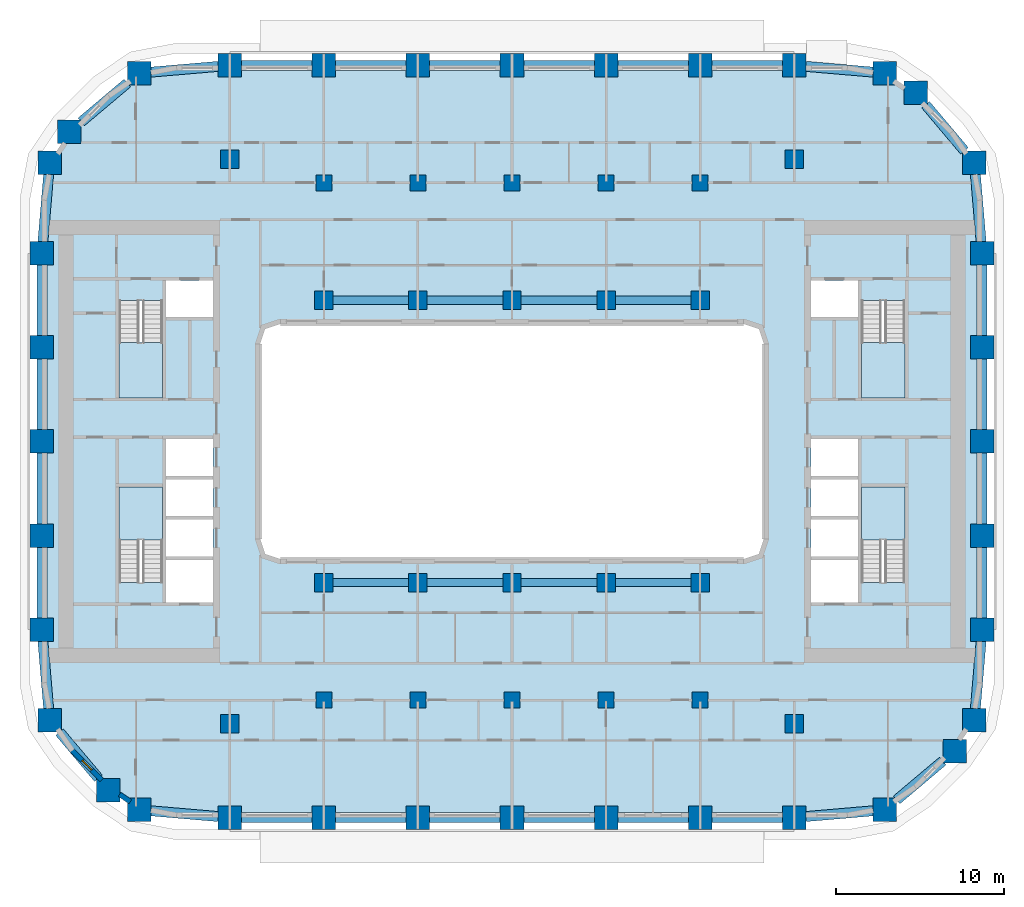
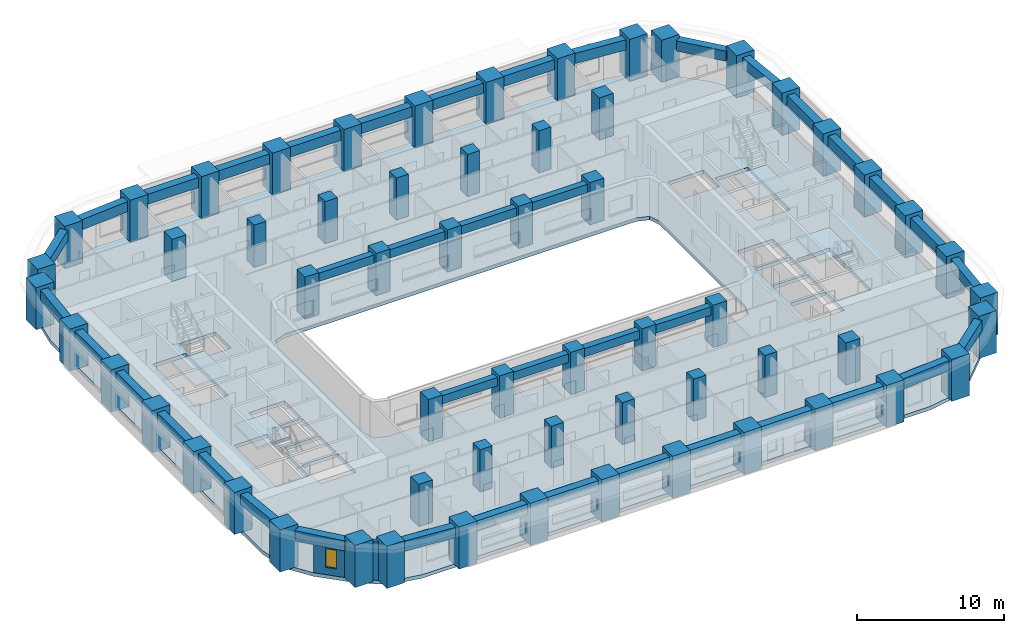
# One storey, part 1 of 22: 60 columns, 40 beams, 5 slabs, 2 walls, 1 window, 1 opening, 4 elements without a shape of their own.
"""IFC4 building model written with IfcOpenShell, lengths in metres."""

from ifc_helpers import new_model, si_unit, direction, frame, frame_2d, origin, origin_2d, place, context, subcontext, project, spatial, polyline, rectangle, outline, extrude, material, layer, layer_set, material_profile, profile_set, type_object, element, fill, aggregate, save


model = new_model("IFC4")

# Units and contexts
model_context = context("Model", 3, precision=1e-05, world=origin(), true_north=direction((0.0, 1.0)))
body_context = subcontext(model_context, "Body", "Model", "MODEL_VIEW")
ifc_project = project(units=[si_unit("LENGTHUNIT", "METRE"), si_unit("AREAUNIT", "SQUARE_METRE"), si_unit("VOLUMEUNIT", "CUBIC_METRE"), si_unit("PLANEANGLEUNIT", "RADIAN"), si_unit("MASSUNIT", "GRAM", prefix="KILO")], contexts=[model_context])

# Site, building, storey
site_placement = place(None, origin())
site = spatial("IfcSite", under=ifc_project, at=site_placement, CompositionType="ELEMENT")
building_placement = place(site_placement, origin())
building = spatial("IfcBuilding", under=site, at=building_placement, Name="Kiln Ring Residences", CompositionType="ELEMENT")
storey_placement = place(building_placement, frame((0.0, 0.0, 62.0)))
storey = spatial("IfcBuildingStorey", under=building, at=storey_placement, Name="L15", CompositionType="ELEMENT", Elevation=62.0)

# Columns
ifc_material_1 = material(Name="Concrete C80/95", Category="concrete")
ifc_material_profile_1 = material_profile(ifc_material_1, rectangle(XDim=0.949951171875, YDim=0.949951171875, at=origin_2d()), Name="RC950x950")
ifc_profile_set_1 = profile_set([ifc_material_profile_1], Name="Concrete C80/95")
column_type_1 = type_object("IfcColumnType", Name="Corridor column RC950x950 C80/95", PredefinedType="COLUMN", material=ifc_profile_set_1)
for number, where, z_axis, x_axis, name in (
    (1, (-11.199951171875, 15.39990234375, 0.0), (0.0, 0.0, 1.0), (1.0, 0.0, 0.0), "Corridor column L15 1"),
    (2, (-5.60009765625, 15.39990234375, 0.0), (0.0, 0.0, 1.0), (1.0, 0.0, 0.0), "Corridor column L15 2"),
    (3, (0.0, 15.39990234375, 0.0), (0.0, 0.0, 1.0), (1.0, 0.0, 0.0), "Corridor column L15 3"),
    (4, (5.60009765625, 15.39990234375, 0.0), (0.0, 0.0, 1.0), (1.0, 0.0, 0.0), "Corridor column L15 4"),
    (5, (11.199951171875, 15.39990234375, 0.0), (0.0, 0.0, 1.0), (1.0, 0.0, 0.0), "Corridor column L15 5"),
    (6, (-11.199951171875, -15.39990234375, 0.0), (0.0, 0.0, 1.0), (1.0, 0.0, 0.0), "Corridor column L15 6"),
    (7, (-5.60009765625, -15.39990234375, 0.0), (0.0, 0.0, 1.0), (1.0, 0.0, 0.0), "Corridor column L15 7"),
    (8, (0.0, -15.39990234375, 0.0), (0.0, 0.0, 1.0), (1.0, 0.0, 0.0), "Corridor column L15 8"),
    (9, (5.60009765625, -15.39990234375, 0.0), (0.0, 0.0, 1.0), (1.0, 0.0, 0.0), "Corridor column L15 9"),
    (10, (11.199951171875, -15.39990234375, 0.0), (0.0, 0.0, 1.0), (1.0, 0.0, 0.0), "Corridor column L15 10"),
):
    element("IfcColumn", number, at=place(storey_placement, frame(where, z_axis=z_axis, x_axis=x_axis)), inside=storey, type_object=column_type_1, Name=name, PredefinedType="COLUMN", context=body_context, shape_type="SweptSolid", body=[
        extrude(rectangle(XDim=0.949951171875, YDim=0.949951171875, at=origin_2d()), origin(), (0.0, 0.0, 1.0), 3.5),
    ])
ifc_material_2 = material(Name="Concrete C80/95", Category="concrete")
ifc_material_profile_2 = material_profile(ifc_material_2, rectangle(XDim=1.39990234375, YDim=1.39990234375, at=origin_2d()), Name="RC1400x1400")
ifc_profile_set_2 = profile_set([ifc_material_profile_2], Name="Concrete C80/95")
column_type_2 = type_object("IfcColumnType", Name="Perimeter column RC1400x1400 C80/95", PredefinedType="COLUMN", material=ifc_profile_set_2)
for number, where, z_axis, x_axis, name in (
    (11, (-22.208740234375, -21.93798828125, 0.0), (0.0, 0.0, 1.0), (1.0, 0.0, 0.0), "Perimeter column L15 1"),
    (12, (-16.800048828125, -22.39990234375, 0.0), (0.0, 0.0, 1.0), (1.0, 0.0, 0.0), "Perimeter column L15 2"),
    (13, (-11.199951171875, -22.39990234375, 0.0), (0.0, 0.0, 1.0), (1.0, 0.0, 0.0), "Perimeter column L15 3"),
    (14, (-5.60009765625, -22.39990234375, 0.0), (0.0, 0.0, 1.0), (1.0, 0.0, 0.0), "Perimeter column L15 4"),
    (15, (0.0, -22.39990234375, 0.0), (0.0, 0.0, 1.0), (1.0, 0.0, 0.0), "Perimeter column L15 5"),
    (16, (5.60009765625, -22.39990234375, 0.0), (0.0, 0.0, 1.0), (1.0, 0.0, 0.0), "Perimeter column L15 6"),
    (17, (11.199951171875, -22.39990234375, 0.0), (0.0, 0.0, 1.0), (1.0, 0.0, 0.0), "Perimeter column L15 7"),
    (18, (16.800048828125, -22.39990234375, 0.0), (0.0, 0.0, 1.0), (1.0, 0.0, 0.0), "Perimeter column L15 8"),
    (19, (22.208740234375, -21.93798828125, 0.0), (0.0, 0.0, 1.0), (1.0, 0.0, 0.0), "Perimeter column L15 9"),
    (20, (26.35986328125, -18.440185546875, 0.0), (0.0, 0.0, 1.0), (1.0, 0.0, 0.0), "Perimeter column L15 10"),
    (21, (27.5380859375, -16.608642578125, 0.0), (0.0, 0.0, 1.0), (1.0, 0.0, 0.0), "Perimeter column L15 11"),
    (22, (28.0, -11.199951171875, 0.0), (0.0, 0.0, 1.0), (1.0, 0.0, 0.0), "Perimeter column L15 12"),
    (23, (28.0, -5.60009765625, 0.0), (0.0, 0.0, 1.0), (1.0, 0.0, 0.0), "Perimeter column L15 13"),
    (24, (28.0, 0.0, 0.0), (0.0, 0.0, 1.0), (1.0, 0.0, 0.0), "Perimeter column L15 14"),
    (25, (28.0, 5.60009765625, 0.0), (0.0, 0.0, 1.0), (1.0, 0.0, 0.0), "Perimeter column L15 15"),
    (26, (28.0, 11.199951171875, 0.0), (0.0, 0.0, 1.0), (1.0, 0.0, 0.0), "Perimeter column L15 16"),
    (27, (27.5380859375, 16.608642578125, 0.0), (0.0, 0.0, 1.0), (1.0, 0.0, 0.0), "Perimeter column L15 17"),
    (28, (24.040283203125, 20.759765625, 0.0), (0.0, 0.0, 1.0), (1.0, 0.0, 0.0), "Perimeter column L15 18"),
    (29, (22.208740234375, 21.93798828125, 0.0), (0.0, 0.0, 1.0), (1.0, 0.0, 0.0), "Perimeter column L15 19"),
    (30, (16.800048828125, 22.39990234375, 0.0), (0.0, 0.0, 1.0), (1.0, 0.0, 0.0), "Perimeter column L15 20"),
    (31, (11.199951171875, 22.39990234375, 0.0), (0.0, 0.0, 1.0), (1.0, 0.0, 0.0), "Perimeter column L15 21"),
    (32, (5.60009765625, 22.39990234375, 0.0), (0.0, 0.0, 1.0), (1.0, 0.0, 0.0), "Perimeter column L15 22"),
    (33, (0.0, 22.39990234375, 0.0), (0.0, 0.0, 1.0), (1.0, 0.0, 0.0), "Perimeter column L15 23"),
    (34, (-5.60009765625, 22.39990234375, 0.0), (0.0, 0.0, 1.0), (1.0, 0.0, 0.0), "Perimeter column L15 24"),
    (35, (-11.199951171875, 22.39990234375, 0.0), (0.0, 0.0, 1.0), (1.0, 0.0, 0.0), "Perimeter column L15 25"),
    (36, (-16.800048828125, 22.39990234375, 0.0), (0.0, 0.0, 1.0), (1.0, 0.0, 0.0), "Perimeter column L15 26"),
    (37, (-22.208740234375, 21.93798828125, 0.0), (0.0, 0.0, 1.0), (1.0, 0.0, 0.0), "Perimeter column L15 27"),
    (38, (-26.35986328125, 18.440185546875, 0.0), (0.0, 0.0, 1.0), (1.0, 0.0, 0.0), "Perimeter column L15 28"),
    (39, (-27.5380859375, 16.608642578125, 0.0), (0.0, 0.0, 1.0), (1.0, 0.0, 0.0), "Perimeter column L15 29"),
    (40, (-28.0, 11.199951171875, 0.0), (0.0, 0.0, 1.0), (1.0, 0.0, 0.0), "Perimeter column L15 30"),
    (41, (-28.0, 5.60009765625, 0.0), (0.0, 0.0, 1.0), (1.0, 0.0, 0.0), "Perimeter column L15 31"),
    (42, (-28.0, 0.0, 0.0), (0.0, 0.0, 1.0), (1.0, 0.0, 0.0), "Perimeter column L15 32"),
    (43, (-28.0, -5.60009765625, 0.0), (0.0, 0.0, 1.0), (1.0, 0.0, 0.0), "Perimeter column L15 33"),
    (44, (-28.0, -11.199951171875, 0.0), (0.0, 0.0, 1.0), (1.0, 0.0, 0.0), "Perimeter column L15 34"),
    (45, (-27.5380859375, -16.608642578125, 0.0), (0.0, 0.0, 1.0), (1.0, 0.0, 0.0), "Perimeter column L15 35"),
    (46, (-24.040283203125, -20.759765625, 0.0), (0.0, 0.0, 1.0), (1.0, 0.0, 0.0), "Perimeter column L15 36"),
):
    element("IfcColumn", number, at=place(storey_placement, frame(where, z_axis=z_axis, x_axis=x_axis)), inside=storey, type_object=column_type_2, Name=name, PredefinedType="COLUMN", context=body_context, shape_type="SweptSolid", body=[
        extrude(rectangle(XDim=1.39990234375, YDim=1.39990234375, at=origin_2d()), origin(), (0.0, 0.0, 1.0), 3.5),
    ])
ifc_material_3 = material(Name="Concrete C80/95", Category="concrete")
ifc_material_profile_3 = material_profile(ifc_material_3, rectangle(XDim=1.10009765625, YDim=1.10009765625, at=origin_2d()), Name="RC1100x1100")
ifc_profile_set_3 = profile_set([ifc_material_profile_3], Name="Concrete C80/95")
column_type_3 = type_object("IfcColumnType", Name="Ring column RC1100x1100 C80/95", PredefinedType="COLUMN", material=ifc_profile_set_3)
for number, where, z_axis, x_axis, name in (
    (47, (-16.800048828125, -16.800048828125, 0.0), (0.0, 0.0, 1.0), (1.0, 0.0, 0.0), "Ring column L15 1"),
    (48, (-16.800048828125, 16.800048828125, 0.0), (0.0, 0.0, 1.0), (1.0, 0.0, 0.0), "Ring column L15 2"),
    (49, (-11.199951171875, -8.39990234375, 0.0), (0.0, 0.0, 1.0), (1.0, 0.0, 0.0), "Ring column L15 3"),
    (50, (-11.199951171875, 8.39990234375, 0.0), (0.0, 0.0, 1.0), (1.0, 0.0, 0.0), "Ring column L15 4"),
    (51, (-5.60009765625, -8.39990234375, 0.0), (0.0, 0.0, 1.0), (1.0, 0.0, 0.0), "Ring column L15 5"),
    (52, (-5.60009765625, 8.39990234375, 0.0), (0.0, 0.0, 1.0), (1.0, 0.0, 0.0), "Ring column L15 6"),
    (53, (0.0, -8.39990234375, 0.0), (0.0, 0.0, 1.0), (1.0, 0.0, 0.0), "Ring column L15 7"),
    (54, (0.0, 8.39990234375, 0.0), (0.0, 0.0, 1.0), (1.0, 0.0, 0.0), "Ring column L15 8"),
    (55, (5.60009765625, -8.39990234375, 0.0), (0.0, 0.0, 1.0), (1.0, 0.0, 0.0), "Ring column L15 9"),
    (56, (5.60009765625, 8.39990234375, 0.0), (0.0, 0.0, 1.0), (1.0, 0.0, 0.0), "Ring column L15 10"),
    (57, (11.199951171875, -8.39990234375, 0.0), (0.0, 0.0, 1.0), (1.0, 0.0, 0.0), "Ring column L15 11"),
    (58, (11.199951171875, 8.39990234375, 0.0), (0.0, 0.0, 1.0), (1.0, 0.0, 0.0), "Ring column L15 12"),
    (59, (16.800048828125, -16.800048828125, 0.0), (0.0, 0.0, 1.0), (1.0, 0.0, 0.0), "Ring column L15 13"),
    (60, (16.800048828125, 16.800048828125, 0.0), (0.0, 0.0, 1.0), (1.0, 0.0, 0.0), "Ring column L15 14"),
):
    element("IfcColumn", number, at=place(storey_placement, frame(where, z_axis=z_axis, x_axis=x_axis)), inside=storey, type_object=column_type_3, Name=name, PredefinedType="COLUMN", context=body_context, shape_type="SweptSolid", body=[
        extrude(rectangle(XDim=1.10009765625, YDim=1.10009765625, at=origin_2d()), origin(), (0.0, 0.0, 1.0), 3.5),
    ])

# Beams
ifc_material_4 = material(Name="Concrete C50/60", Category="concrete")
ifc_material_profile_4 = material_profile(ifc_material_4, rectangle(XDim=0.5, YDim=0.699951171875, at=origin_2d()), Name="RC500x700")
ifc_profile_set_4 = profile_set([ifc_material_profile_4], Name="Concrete C50/60")
beam_type_1 = type_object("IfcBeamType", Name="Ring beam RC500x700 C50/60", PredefinedType="BEAM", material=ifc_profile_set_4)
for number, where, z_axis, x_axis, name in (
    (61, (-10.64990234375, -8.39990234375, 2.85009765625), (1.0, 0.0, 0.0), (0.0, 1.0, 0.0), "Ring beam L15 1"),
    (62, (-5.050048828125, -8.39990234375, 2.85009765625), (1.0, 0.0, 0.0), (0.0, 1.0, 0.0), "Ring beam L15 2"),
    (63, (0.550048828125, -8.39990234375, 2.85009765625), (1.0, 0.0, 0.0), (0.0, 1.0, 0.0), "Ring beam L15 3"),
    (64, (6.14990234375, -8.39990234375, 2.85009765625), (1.0, 0.0, 0.0), (0.0, 1.0, 0.0), "Ring beam L15 4"),
    (65, (-10.64990234375, 8.39990234375, 2.85009765625), (1.0, 0.0, 0.0), (0.0, 1.0, 0.0), "Ring beam L15 5"),
    (66, (-5.050048828125, 8.39990234375, 2.85009765625), (1.0, 0.0, 0.0), (0.0, 1.0, 0.0), "Ring beam L15 6"),
    (67, (0.550048828125, 8.39990234375, 2.85009765625), (1.0, 0.0, 0.0), (0.0, 1.0, 0.0), "Ring beam L15 7"),
    (68, (6.14990234375, 8.39990234375, 2.85009765625), (1.0, 0.0, 0.0), (0.0, 1.0, 0.0), "Ring beam L15 8"),
):
    element("IfcBeam", number, at=place(storey_placement, frame(where, z_axis=z_axis, x_axis=x_axis)), inside=storey, type_object=beam_type_1, Name=name, PredefinedType="BEAM", context=body_context, shape_type="SweptSolid", body=[
        extrude(rectangle(XDim=0.5, YDim=0.699951171875, at=origin_2d()), origin(), (0.0, 0.0, 1.0), 4.5),
    ])
ifc_material_5 = material(Name="Concrete C50/60", Category="concrete")
ifc_material_profile_5 = material_profile(ifc_material_5, rectangle(XDim=0.60009765625, YDim=0.85009765625, at=origin_2d()), Name="RC600x850")
ifc_profile_set_5 = profile_set([ifc_material_profile_5], Name="Concrete C50/60")
beam_type_2 = type_object("IfcBeamType", Name="Spandrel beam RC600x850 C50/60", PredefinedType="SPANDREL", material=ifc_profile_set_5)
beam_1_placement = place(storey_placement, frame((-21.5087890625, -21.997802734375, 2.77490234375), z_axis=(0.996369479058, -0.085134371444, 0.0), x_axis=(0.085134371444, 0.996369479058, 0.0)))
element("IfcBeam", 69, at=beam_1_placement, inside=storey, type_object=beam_type_2, Name="Spandrel beam L15 1", PredefinedType="SPANDREL", context=body_context, shape_type="SweptSolid", body=[
    extrude(rectangle(XDim=0.60009765625, YDim=0.85009765625, at=origin_2d()), origin(), (0.0, 0.0, 1.0), 4.0234375),
])
beam_2_placement = place(storey_placement, frame((-16.10009765625, -22.39990234375, 2.77490234375), z_axis=(1.0, 0.0, 0.0), x_axis=(0.0, 1.0, 0.0)))
element("IfcBeam", 70, at=beam_2_placement, inside=storey, type_object=beam_type_2, Name="Spandrel beam L15 2", PredefinedType="SPANDREL", context=body_context, shape_type="SweptSolid", body=[
    extrude(rectangle(XDim=0.60009765625, YDim=0.85009765625, at=origin_2d()), origin(), (0.0, 0.0, 1.0), 4.2001953125),
])
for number, where, z_axis, x_axis, name in (
    (71, (-10.5, -22.39990234375, 2.77490234375), (1.0, 0.0, 0.0), (0.0, 1.0, 0.0), "Spandrel beam L15 3"),
    (72, (-4.89990234375, -22.39990234375, 2.77490234375), (1.0, 0.0, 0.0), (0.0, 1.0, 0.0), "Spandrel beam L15 4"),
    (73, (0.699951171875, -22.39990234375, 2.77490234375), (1.0, 0.0, 0.0), (0.0, 1.0, 0.0), "Spandrel beam L15 5"),
    (74, (6.300048828125, -22.39990234375, 2.77490234375), (1.0, 0.0, 0.0), (0.0, 1.0, 0.0), "Spandrel beam L15 6"),
):
    element("IfcBeam", number, at=place(storey_placement, frame(where, z_axis=z_axis, x_axis=x_axis)), inside=storey, type_object=beam_type_2, Name=name, PredefinedType="SPANDREL", context=body_context, shape_type="SweptSolid", body=[
        extrude(rectangle(XDim=0.60009765625, YDim=0.85009765625, at=origin_2d()), origin(), (0.0, 0.0, 1.0), 4.199951171875),
    ])
beam_3_placement = place(storey_placement, frame((11.89990234375, -22.39990234375, 2.77490234375), z_axis=(1.0, 0.0, 0.0), x_axis=(0.0, 1.0, 0.0)))
element("IfcBeam", 75, at=beam_3_placement, inside=storey, type_object=beam_type_2, Name="Spandrel beam L15 7", PredefinedType="SPANDREL", context=body_context, shape_type="SweptSolid", body=[
    extrude(rectangle(XDim=0.60009765625, YDim=0.85009765625, at=origin_2d()), origin(), (0.0, 0.0, 1.0), 4.2001953125),
])
beam_4_placement = place(storey_placement, frame((17.5, -22.34033203125, 2.77490234375), z_axis=(0.996369479058, 0.085134371444, 0.0), x_axis=(-0.085134371444, 0.996369479058, 0.0)))
element("IfcBeam", 76, at=beam_4_placement, inside=storey, type_object=beam_type_2, Name="Spandrel beam L15 8", PredefinedType="SPANDREL", context=body_context, shape_type="SweptSolid", body=[
    extrude(rectangle(XDim=0.60009765625, YDim=0.85009765625, at=origin_2d()), origin(), (0.0, 0.0, 1.0), 4.0234375),
])
beam_5_placement = place(storey_placement, frame((22.90869140625, -21.34814453125, 2.77490234375), z_axis=(0.764733430751, 0.644346785428, 0.0), x_axis=(-0.644346785428, 0.764733430751, 0.0)))
element("IfcBeam", 77, at=beam_5_placement, inside=storey, type_object=beam_type_2, Name="Spandrel beam L15 9", PredefinedType="SPANDREL", context=body_context, shape_type="SweptSolid", body=[
    extrude(rectangle(XDim=0.60009765625, YDim=0.85009765625, at=origin_2d()), origin(), (0.0, 0.0, 1.0), 3.59765625),
])
beam_6_placement = place(storey_placement, frame((27.597900390625, -15.90869140625, 2.77490234375), z_axis=(0.085074130543, 0.996374624482, 0.0), x_axis=(-0.996374624482, 0.085074130543, 0.0)))
element("IfcBeam", 78, at=beam_6_placement, inside=storey, type_object=beam_type_2, Name="Spandrel beam L15 10", PredefinedType="SPANDREL", context=body_context, shape_type="SweptSolid", body=[
    extrude(rectangle(XDim=0.60009765625, YDim=0.85009765625, at=origin_2d()), origin(), (0.0, 0.0, 1.0), 4.0234375),
])
for number, where, z_axis, x_axis, name in (
    (79, (28.0, -10.5, 2.77490234375), (0.0, 1.0, 0.0), (-1.0, 0.0, 0.0), "Spandrel beam L15 11"),
    (80, (28.0, -4.89990234375, 2.77490234375), (0.0, 1.0, 0.0), (-1.0, 0.0, 0.0), "Spandrel beam L15 12"),
    (81, (28.0, 0.699951171875, 2.77490234375), (0.0, 1.0, 0.0), (-1.0, 0.0, 0.0), "Spandrel beam L15 13"),
    (82, (28.0, 6.300048828125, 2.77490234375), (0.0, 1.0, 0.0), (-1.0, 0.0, 0.0), "Spandrel beam L15 14"),
):
    element("IfcBeam", number, at=place(storey_placement, frame(where, z_axis=z_axis, x_axis=x_axis)), inside=storey, type_object=beam_type_2, Name=name, PredefinedType="SPANDREL", context=body_context, shape_type="SweptSolid", body=[
        extrude(rectangle(XDim=0.60009765625, YDim=0.85009765625, at=origin_2d()), origin(), (0.0, 0.0, 1.0), 4.199951171875),
    ])
beam_7_placement = place(storey_placement, frame((27.940185546875, 11.89990234375, 2.77490234375), z_axis=(-0.085074130543, 0.996374624482, 0.0), x_axis=(-0.996374624482, -0.085074130543, 0.0)))
element("IfcBeam", 83, at=beam_7_placement, inside=storey, type_object=beam_type_2, Name="Spandrel beam L15 15", PredefinedType="SPANDREL", context=body_context, shape_type="SweptSolid", body=[
    extrude(rectangle(XDim=0.60009765625, YDim=0.85009765625, at=origin_2d()), origin(), (0.0, 0.0, 1.0), 4.0234375),
])
beam_8_placement = place(storey_placement, frame((26.9482421875, 17.30859375, 2.77490234375), z_axis=(-0.644346785428, 0.764733430751, 0.0), x_axis=(-0.764733430751, -0.644346785428, 0.0)))
element("IfcBeam", 84, at=beam_8_placement, inside=storey, type_object=beam_type_2, Name="Spandrel beam L15 16", PredefinedType="SPANDREL", context=body_context, shape_type="SweptSolid", body=[
    extrude(rectangle(XDim=0.60009765625, YDim=0.85009765625, at=origin_2d()), origin(), (0.0, 0.0, 1.0), 3.59765625),
])
beam_9_placement = place(storey_placement, frame((21.5087890625, 21.997802734375, 2.77490234375), z_axis=(-0.996369479058, 0.085134371444, 0.0), x_axis=(-0.085134371444, -0.996369479058, 0.0)))
element("IfcBeam", 85, at=beam_9_placement, inside=storey, type_object=beam_type_2, Name="Spandrel beam L15 17", PredefinedType="SPANDREL", context=body_context, shape_type="SweptSolid", body=[
    extrude(rectangle(XDim=0.60009765625, YDim=0.85009765625, at=origin_2d()), origin(), (0.0, 0.0, 1.0), 4.0234375),
])
beam_10_placement = place(storey_placement, frame((16.10009765625, 22.39990234375, 2.77490234375), z_axis=(-1.0, 0.0, 0.0), x_axis=(0.0, -1.0, 0.0)))
element("IfcBeam", 86, at=beam_10_placement, inside=storey, type_object=beam_type_2, Name="Spandrel beam L15 18", PredefinedType="SPANDREL", context=body_context, shape_type="SweptSolid", body=[
    extrude(rectangle(XDim=0.60009765625, YDim=0.85009765625, at=origin_2d()), origin(), (0.0, 0.0, 1.0), 4.2001953125),
])
for number, where, z_axis, x_axis, name in (
    (87, (10.5, 22.39990234375, 2.77490234375), (-1.0, 0.0, 0.0), (0.0, -1.0, 0.0), "Spandrel beam L15 19"),
    (88, (4.89990234375, 22.39990234375, 2.77490234375), (-1.0, 0.0, 0.0), (0.0, -1.0, 0.0), "Spandrel beam L15 20"),
    (89, (-0.699951171875, 22.39990234375, 2.77490234375), (-1.0, 0.0, 0.0), (0.0, -1.0, 0.0), "Spandrel beam L15 21"),
    (90, (-6.300048828125, 22.39990234375, 2.77490234375), (-1.0, 0.0, 0.0), (0.0, -1.0, 0.0), "Spandrel beam L15 22"),
):
    element("IfcBeam", number, at=place(storey_placement, frame(where, z_axis=z_axis, x_axis=x_axis)), inside=storey, type_object=beam_type_2, Name=name, PredefinedType="SPANDREL", context=body_context, shape_type="SweptSolid", body=[
        extrude(rectangle(XDim=0.60009765625, YDim=0.85009765625, at=origin_2d()), origin(), (0.0, 0.0, 1.0), 4.199951171875),
    ])
beam_11_placement = place(storey_placement, frame((-11.89990234375, 22.39990234375, 2.77490234375), z_axis=(-1.0, 0.0, 0.0), x_axis=(0.0, -1.0, 0.0)))
element("IfcBeam", 91, at=beam_11_placement, inside=storey, type_object=beam_type_2, Name="Spandrel beam L15 23", PredefinedType="SPANDREL", context=body_context, shape_type="SweptSolid", body=[
    extrude(rectangle(XDim=0.60009765625, YDim=0.85009765625, at=origin_2d()), origin(), (0.0, 0.0, 1.0), 4.2001953125),
])
beam_12_placement = place(storey_placement, frame((-17.5, 22.34033203125, 2.77490234375), z_axis=(-0.996369479058, -0.085134371444, 0.0), x_axis=(0.085134371444, -0.996369479058, 0.0)))
element("IfcBeam", 92, at=beam_12_placement, inside=storey, type_object=beam_type_2, Name="Spandrel beam L15 24", PredefinedType="SPANDREL", context=body_context, shape_type="SweptSolid", body=[
    extrude(rectangle(XDim=0.60009765625, YDim=0.85009765625, at=origin_2d()), origin(), (0.0, 0.0, 1.0), 4.0234375),
])
beam_13_placement = place(storey_placement, frame((-22.90869140625, 21.34814453125, 2.77490234375), z_axis=(-0.764733430751, -0.644346785428, 0.0), x_axis=(0.644346785428, -0.764733430751, 0.0)))
element("IfcBeam", 93, at=beam_13_placement, inside=storey, type_object=beam_type_2, Name="Spandrel beam L15 25", PredefinedType="SPANDREL", context=body_context, shape_type="SweptSolid", body=[
    extrude(rectangle(XDim=0.60009765625, YDim=0.85009765625, at=origin_2d()), origin(), (0.0, 0.0, 1.0), 3.59765625),
])
beam_14_placement = place(storey_placement, frame((-27.597900390625, 15.90869140625, 2.77490234375), z_axis=(-0.085074130543, -0.996374624482, 0.0), x_axis=(0.996374624482, -0.085074130543, 0.0)))
element("IfcBeam", 94, at=beam_14_placement, inside=storey, type_object=beam_type_2, Name="Spandrel beam L15 26", PredefinedType="SPANDREL", context=body_context, shape_type="SweptSolid", body=[
    extrude(rectangle(XDim=0.60009765625, YDim=0.85009765625, at=origin_2d()), origin(), (0.0, 0.0, 1.0), 4.0234375),
])
for number, where, z_axis, x_axis, name in (
    (95, (-28.0, 10.5, 2.77490234375), (0.0, -1.0, 0.0), (1.0, 0.0, 0.0), "Spandrel beam L15 27"),
    (96, (-28.0, 4.89990234375, 2.77490234375), (0.0, -1.0, 0.0), (1.0, 0.0, 0.0), "Spandrel beam L15 28"),
    (97, (-28.0, -0.699951171875, 2.77490234375), (0.0, -1.0, 0.0), (1.0, 0.0, 0.0), "Spandrel beam L15 29"),
    (98, (-28.0, -6.300048828125, 2.77490234375), (0.0, -1.0, 0.0), (1.0, 0.0, 0.0), "Spandrel beam L15 30"),
):
    element("IfcBeam", number, at=place(storey_placement, frame(where, z_axis=z_axis, x_axis=x_axis)), inside=storey, type_object=beam_type_2, Name=name, PredefinedType="SPANDREL", context=body_context, shape_type="SweptSolid", body=[
        extrude(rectangle(XDim=0.60009765625, YDim=0.85009765625, at=origin_2d()), origin(), (0.0, 0.0, 1.0), 4.199951171875),
    ])
beam_15_placement = place(storey_placement, frame((-27.940185546875, -11.89990234375, 2.77490234375), z_axis=(0.085074130543, -0.996374624482, 0.0), x_axis=(0.996374624482, 0.085074130543, 0.0)))
element("IfcBeam", 99, at=beam_15_placement, inside=storey, type_object=beam_type_2, Name="Spandrel beam L15 31", PredefinedType="SPANDREL", context=body_context, shape_type="SweptSolid", body=[
    extrude(rectangle(XDim=0.60009765625, YDim=0.85009765625, at=origin_2d()), origin(), (0.0, 0.0, 1.0), 4.0234375),
])
beam_16_placement = place(storey_placement, frame((-26.9482421875, -17.30859375, 2.77490234375), z_axis=(0.644346785428, -0.764733430751, 0.0), x_axis=(0.764733430751, 0.644346785428, 0.0)))
element("IfcBeam", 100, at=beam_16_placement, inside=storey, type_object=beam_type_2, Name="Spandrel beam L15 32", PredefinedType="SPANDREL", context=body_context, shape_type="SweptSolid", body=[
    extrude(rectangle(XDim=0.60009765625, YDim=0.85009765625, at=origin_2d()), origin(), (0.0, 0.0, 1.0), 3.59765625),
])

# Stair, slab
ifc_material_6 = material(Name="Concrete C40/50", Category="concrete")
stair_type = type_object("IfcStairType", Name="CORE-STAIR", PredefinedType="HALF_TURN_STAIR", material=ifc_material_6)
placement_1 = place(storey_placement, origin())
stair_1 = element("IfcStair", 101, at=placement_1, inside=storey, type_object=stair_type, Name="L15 stair W-STN", PredefinedType="HALF_TURN_STAIR")
ifc_material_7 = material(Name="Concrete C40/50", Category="concrete")
ifc_layer_1 = layer(ifc_material_7, 0.199951171875)
ifc_layer_set_1 = layer_set([ifc_layer_1], Name="CORE-STAIR-LANDING")
slab_type_1 = type_object("IfcSlabType", Name="CORE-STAIR-LANDING", PredefinedType="LANDING", material=ifc_layer_set_1)
placement_2 = place(storey_placement, frame((0.0, 0.0, 1.550048828125)))
slab_1 = element("IfcSlab", 102, at=placement_2, type_object=slab_type_1, Name="W-STN landing 1", PredefinedType="LANDING", context=body_context, shape_type="SweptSolid", body=[
    extrude(outline(polyline([(-23.39990234375, 5.8798828125), (-23.39990234375, 2.60009765625), (-20.800048828125, 2.60009765625), (-20.800048828125, 5.8798828125), (-23.39990234375, 5.8798828125)])), origin(), (0.0, 0.0, 1.0), 0.199951171875),
])
aggregate(stair_1, [slab_1])

stair_2 = element("IfcStair", 103, at=placement_1, inside=storey, type_object=stair_type, Name="L15 stair W-STS", PredefinedType="HALF_TURN_STAIR")
slab_2 = element("IfcSlab", 104, at=placement_2, type_object=slab_type_1, Name="W-STS landing 1", PredefinedType="LANDING", context=body_context, shape_type="SweptSolid", body=[
    extrude(outline(polyline([(-20.800048828125, -5.8798828125), (-20.800048828125, -2.699951171875), (-23.39990234375, -2.699951171875), (-23.39990234375, -5.8798828125), (-20.800048828125, -5.8798828125)])), origin(), (0.0, 0.0, 1.0), 0.199951171875),
])
aggregate(stair_2, [slab_2])

stair_3 = element("IfcStair", 105, at=placement_1, inside=storey, type_object=stair_type, Name="L15 stair E-STN", PredefinedType="HALF_TURN_STAIR")
slab_3 = element("IfcSlab", 106, at=placement_2, type_object=slab_type_1, Name="E-STN landing 1", PredefinedType="LANDING", context=body_context, shape_type="SweptSolid", body=[
    extrude(outline(polyline([(20.800048828125, 5.8798828125), (20.800048828125, 2.60009765625), (23.39990234375, 2.60009765625), (23.39990234375, 5.8798828125), (20.800048828125, 5.8798828125)])), origin(), (0.0, 0.0, 1.0), 0.199951171875),
])
aggregate(stair_3, [slab_3])

stair_4 = element("IfcStair", 107, at=placement_1, inside=storey, type_object=stair_type, Name="L15 stair E-STS", PredefinedType="HALF_TURN_STAIR")
slab_4 = element("IfcSlab", 108, at=placement_2, type_object=slab_type_1, Name="E-STS landing 1", PredefinedType="LANDING", context=body_context, shape_type="SweptSolid", body=[
    extrude(outline(polyline([(23.39990234375, -5.8798828125), (23.39990234375, -2.699951171875), (20.800048828125, -2.699951171875), (20.800048828125, -5.8798828125), (23.39990234375, -5.8798828125)])), origin(), (0.0, 0.0, 1.0), 0.199951171875),
])
aggregate(stair_4, [slab_4])

# Slab
ifc_material_8 = material(Name="Concrete C40/50", Category="concrete")
ifc_layer_2 = layer(ifc_material_8, 0.300048828125)
ifc_layer_set_2 = layer_set([ifc_layer_2], Name="Floor slab 300")
slab_type_2 = type_object("IfcSlabType", Name="Floor slab 300", PredefinedType="FLOOR", material=ifc_layer_set_2)
slab_5_placement = place(storey_placement, frame((0.0, 0.0, -0.300048828125)))
element("IfcSlab", 109, at=slab_5_placement, inside=storey, type_object=slab_type_2, Name="Floor slab L15 1", PredefinedType="FLOOR", context=body_context, shape_type="SweptSolid", body=[
    extrude(outline(polyline([(-26.302978515625, -18.4970703125), (-24.09716796875, -20.702880859375), (-22.224365234375, -21.975830078125), (-20.0, -22.39990234375), (20.0, -22.39990234375), (22.224365234375, -21.975830078125), (24.09716796875, -20.702880859375), (26.302978515625, -18.4970703125), (27.57568359375, -16.624267578125), (28.0, -14.39990234375), (28.0, 14.39990234375), (27.57568359375, 16.624267578125), (26.302978515625, 18.4970703125), (24.09716796875, 20.702880859375), (22.224365234375, 21.975830078125), (20.0, 22.39990234375), (-20.0, 22.39990234375), (-22.224365234375, 21.975830078125), (-24.09716796875, 20.702880859375), (-26.302978515625, 18.4970703125), (-27.57568359375, 16.624267578125), (-28.0, 14.39990234375), (-28.0, -14.39990234375), (-27.57568359375, -16.624267578125), (-26.302978515625, -18.4970703125)]), holes=[polyline([(-14.699951171875, -6.699951171875), (-15.0, -5.800048828125), (-15.0, 5.800048828125), (-14.699951171875, 6.699951171875), (-13.800048828125, 7.0), (13.800048828125, 7.0), (14.699951171875, 6.699951171875), (15.0, 5.800048828125), (15.0, -5.800048828125), (14.699951171875, -6.699951171875), (13.800048828125, -7.0), (-13.800048828125, -7.0), (-14.699951171875, -6.699951171875)]), polyline([(20.800048828125, -8.39794921875), (20.800048828125, -2.699951171875), (23.39990234375, -2.699951171875), (23.39990234375, -8.39794921875), (20.800048828125, -8.39794921875)]), polyline([(20.800048828125, 2.60009765625), (20.800048828125, 8.39794921875), (23.39990234375, 8.39794921875), (23.39990234375, 2.60009765625), (20.800048828125, 2.60009765625)]), polyline([(17.800048828125, -6.85009765625), (17.800048828125, -4.64990234375), (20.60009765625, -4.64990234375), (20.60009765625, -6.85009765625), (17.800048828125, -6.85009765625)]), polyline([(17.800048828125, -4.449951171875), (17.800048828125, -2.25), (20.60009765625, -2.25), (20.60009765625, -4.449951171875), (17.800048828125, -4.449951171875)]), polyline([(17.800048828125, -2.050048828125), (17.800048828125, 0.14990234375), (20.60009765625, 0.14990234375), (20.60009765625, -2.050048828125), (17.800048828125, -2.050048828125)]), polyline([(17.800048828125, 7.39990234375), (17.800048828125, 9.60009765625), (20.60009765625, 9.60009765625), (20.60009765625, 7.39990234375), (17.800048828125, 7.39990234375)]), polyline([(20.60009765625, -9.60009765625), (17.800048828125, -9.60009765625), (17.800048828125, -7.050048828125), (20.60009765625, -7.050048828125), (20.60009765625, -9.60009765625)]), polyline([(-17.800048828125, -7.050048828125), (-17.800048828125, -9.60009765625), (-20.60009765625, -9.60009765625), (-20.60009765625, -7.050048828125), (-17.800048828125, -7.050048828125)]), polyline([(-17.800048828125, -6.85009765625), (-20.60009765625, -6.85009765625), (-20.60009765625, -4.64990234375), (-17.800048828125, -4.64990234375), (-17.800048828125, -6.85009765625)]), polyline([(-17.800048828125, -4.449951171875), (-20.60009765625, -4.449951171875), (-20.60009765625, -2.25), (-17.800048828125, -2.25), (-17.800048828125, -4.449951171875)]), polyline([(-17.800048828125, -2.050048828125), (-20.60009765625, -2.050048828125), (-20.60009765625, 0.14990234375), (-17.800048828125, 0.14990234375), (-17.800048828125, -2.050048828125)]), polyline([(-17.800048828125, 7.39990234375), (-20.60009765625, 7.39990234375), (-20.60009765625, 9.60009765625), (-17.800048828125, 9.60009765625), (-17.800048828125, 7.39990234375)]), polyline([(-20.800048828125, -8.39794921875), (-23.39990234375, -8.39794921875), (-23.39990234375, -2.699951171875), (-20.800048828125, -2.699951171875), (-20.800048828125, -8.39794921875)]), polyline([(-20.800048828125, 2.60009765625), (-23.39990234375, 2.60009765625), (-23.39990234375, 8.39794921875), (-20.800048828125, 8.39794921875), (-20.800048828125, 2.60009765625)])]), origin(), (0.0, 0.0, 1.0), 0.300048828125),
])

# Wall, opening, window
ifc_material_9 = material(Name="Brick masonry, dark clay brick", Category="masonry")
ifc_layer_3 = layer(ifc_material_9, 0.300048828125)
ifc_layer_set_3 = layer_set([ifc_layer_3], Name="EW-300 BRICK WALL")
wall_type = type_object("IfcWallType", Name="EW-300 BRICK WALL", PredefinedType="SOLIDWALL", material=ifc_layer_set_3)
wall_1_placement = place(storey_placement, frame((-26.19677734375, -18.390869140625, 0.0), z_axis=(0.0, 0.0, 1.0), x_axis=(0.707057949532, -0.707155609469, 0.0)))
wall_1 = element("IfcWall", 110, at=wall_1_placement, inside=storey, type_object=wall_type, Name="Facade wall L15 1", PredefinedType="SOLIDWALL", context=body_context, shape_type="SweptSolid", body=[
    extrude(rectangle(XDim=2.5, YDim=0.300048828125, at=frame_2d((1.25, 0.0))), origin(), (0.0, 0.0, 1.0), 2.35009765625),
])
opening_placement = place(wall_1_placement, frame((0.85009765625, 0.0, 0.60009765625)))
opening = element("IfcOpeningElement", 111, at=opening_placement, cuts=wall_1, Name="Opening W5", PredefinedType="OPENING", context=body_context, shape_type="SweptSolid", body=[
    extrude(rectangle(XDim=0.800048828125, YDim=1.550048828125, at=frame_2d((0.39990234375, 0.77490234375))), frame((0.0, 0.159912109375, 0.0), z_axis=(0.0, -1.0, 0.0), x_axis=(1.0, 0.0, 0.0)), (0.0, 0.0, 1.0), 0.320068359375),
])
ifc_material_10 = material(Name="Aluminium frame with double glazing", Category="aluminium")
window_type = type_object("IfcWindowType", Name="WINDOW 800 x 1550", PartitioningType="SINGLE_PANEL", PredefinedType="WINDOW", material=ifc_material_10)
window_placement = place(opening_placement, origin())
window = element("IfcWindow", 112, at=window_placement, inside=storey, type_object=window_type, Name="Window L15 1", OverallHeight=1.550048828125, OverallWidth=0.800048828125, PartitioningType="SINGLE_PANEL", PredefinedType="WINDOW", context=body_context, shape_type="SweptSolid", body=[
    extrude(rectangle(XDim=0.800048828125, YDim=1.550048828125, at=frame_2d((0.39990234375, 0.77490234375))), frame((0.0, 0.030029296875, 0.0), z_axis=(0.0, -1.0, 0.0), x_axis=(1.0, 0.0, 0.0)), (0.0, 0.0, 1.0), 0.06005859375),
])
fill(opening, window)

# Wall
wall_2_placement = place(storey_placement, frame((-23.368408203125, -21.016845703125, 0.0), z_axis=(0.0, 0.0, 1.0), x_axis=(0.827037530089, -0.562146710232, 0.0)))
element("IfcWall", 113, at=wall_2_placement, inside=storey, type_object=wall_type, Name="Facade wall L15 2", PredefinedType="SOLIDWALL", context=body_context, shape_type="SweptSolid", body=[
    extrude(rectangle(XDim=0.77685546875, YDim=0.300048828125, at=frame_2d((0.388427734375, 0.0))), origin(), (0.0, 0.0, 1.0), 3.199951171875),
])

save(model, "model.ifc")
